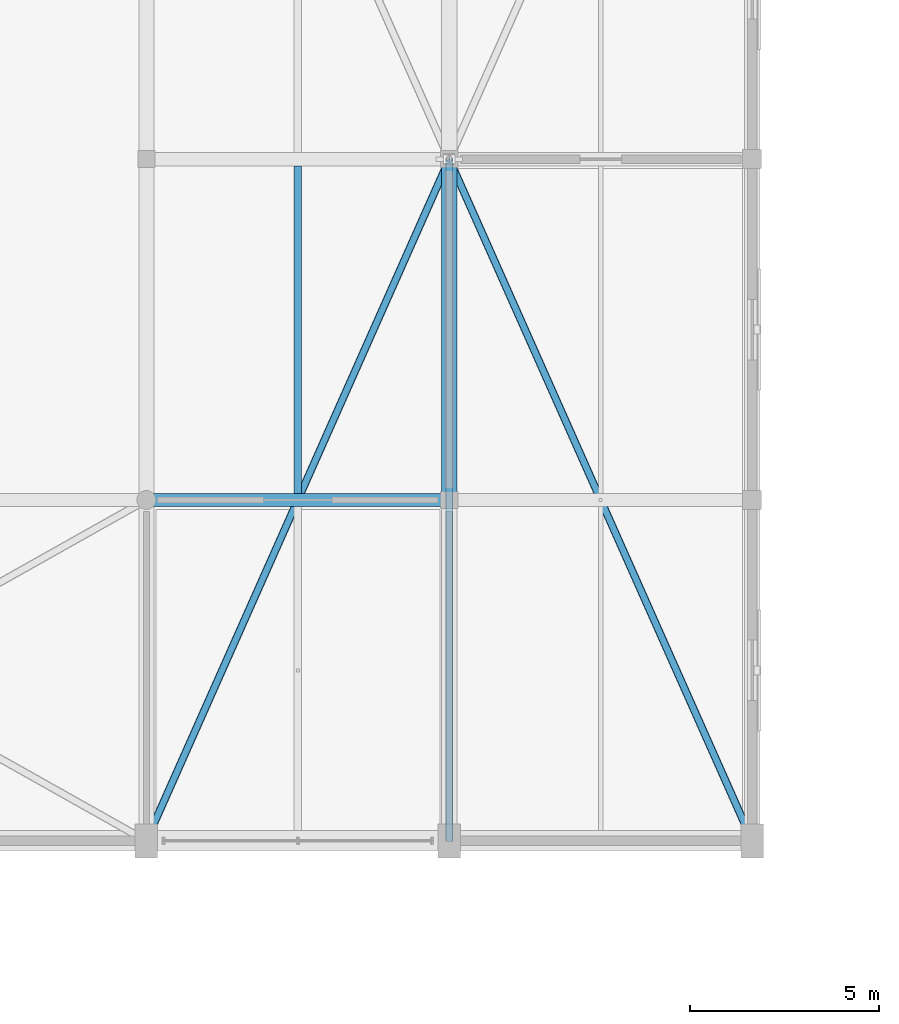
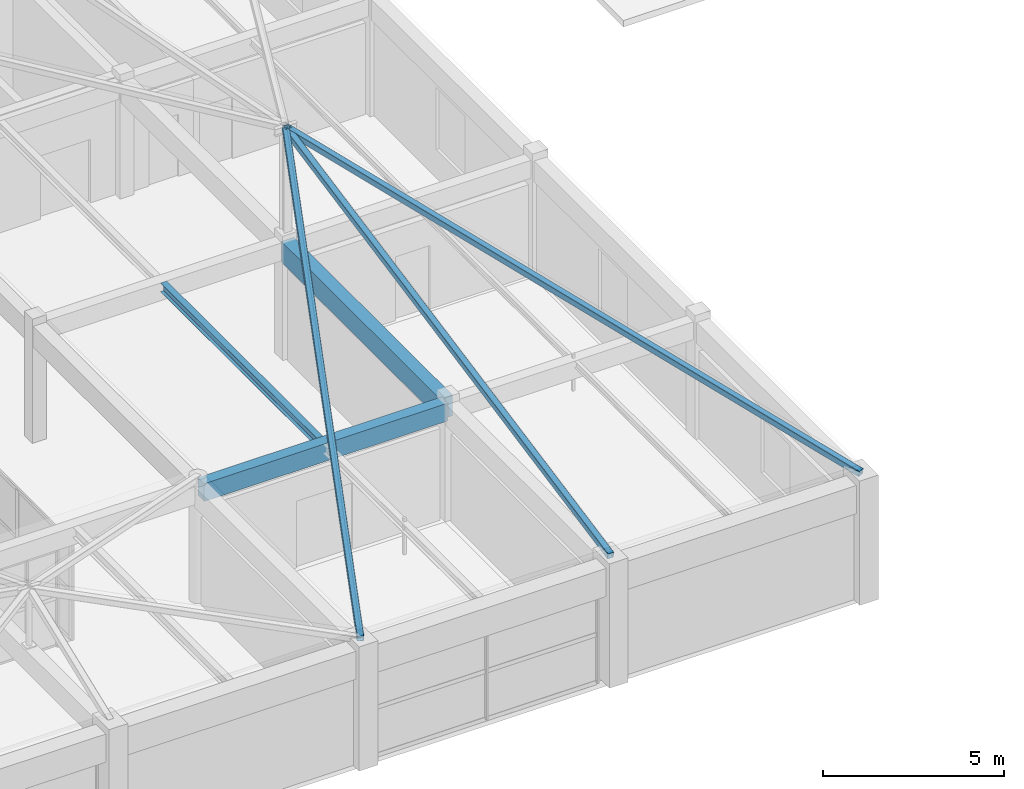
# One storey, part 32 of 63: 3 beams, 3 members.
"""IFC4 building model written with IfcOpenShell, lengths in metres."""

from ifc_helpers import new_model, si_unit, direction, frame, origin, origin_2d, place, context, subcontext, project, spatial, rectangle, hollow_rectangle, i_section, extrude, material, material_profile, profile_set, type_object, element, save


model = new_model("IFC4")

# Units and contexts
model_context = context("Model", 3, precision=1e-05, world=origin(), true_north=direction((0.0, 1.0)))
body_context = subcontext(model_context, "Body", "Model", "MODEL_VIEW")
ifc_project = project(units=[si_unit("LENGTHUNIT", "METRE"), si_unit("AREAUNIT", "SQUARE_METRE"), si_unit("VOLUMEUNIT", "CUBIC_METRE"), si_unit("PLANEANGLEUNIT", "RADIAN"), si_unit("MASSUNIT", "GRAM", prefix="KILO")], contexts=[model_context])

# Site, building, storey
site_placement = place(None, origin())
site = spatial("IfcSite", under=ifc_project, at=site_placement, CompositionType="ELEMENT")
building_placement = place(site_placement, origin())
building = spatial("IfcBuilding", under=site, at=building_placement, Name="Varnabhumi Central Station", CompositionType="ELEMENT")
storey_placement = place(building_placement, frame((0.0, 0.0, 20.39990234375)))
storey = spatial("IfcBuildingStorey", under=building, at=storey_placement, Name="L04", CompositionType="ELEMENT", Elevation=20.39990234375)

# Beams
ifc_material_1 = material(Name="Concrete M40", Category="concrete")
ifc_material_profile_1 = material_profile(ifc_material_1, rectangle(XDim=0.35009765625, YDim=0.60009765625, at=origin_2d()), Name="Concrete M40", Category="concrete")
ifc_profile_set_1 = profile_set([ifc_material_profile_1], Name="Concrete M40")
beam_type_1 = type_object("IfcBeamType", Name="BM-RC-350x600", PredefinedType="BEAM", material=ifc_profile_set_1)
beam_1_placement = place(storey_placement, frame((80.10009765625, 89.0, 3.650146484375), z_axis=(1.0, 0.0, 0.0), x_axis=(0.0, 1.0, 0.0)))
element("IfcBeam", 1, at=beam_1_placement, inside=storey, type_object=beam_type_1, Name="Beam L04-L:11-12", PredefinedType="BEAM", context=body_context, shape_type="SweptSolid", body=[
    extrude(rectangle(XDim=0.35009765625, YDim=0.60009765625, at=origin_2d()), origin(), (0.0, 0.0, 1.0), 7.7998046875),
])
ifc_material_profile_2 = material_profile(ifc_material_1, rectangle(XDim=0.39990234375, YDim=0.699951171875, at=origin_2d()), Name="Concrete M40", Category="concrete")
ifc_profile_set_2 = profile_set([ifc_material_profile_2], Name="Concrete M40")
beam_type_2 = type_object("IfcBeamType", Name="BM-RC-700x400", PredefinedType="BEAM", material=ifc_profile_set_2)
beam_2_placement = place(storey_placement, frame((88.0, 89.10009765625, 3.60009765625), z_axis=(0.0, 1.0, 0.0), x_axis=(-1.0, 0.0, 0.0)))
element("IfcBeam", 2, at=beam_2_placement, inside=storey, type_object=beam_type_2, Name="Beam L04-12:L-M", PredefinedType="BEAM", context=body_context, shape_type="SweptSolid", body=[
    extrude(rectangle(XDim=0.39990234375, YDim=0.699951171875, at=origin_2d()), origin(), (0.0, 0.0, 1.0), 8.7998046875),
])
ifc_material_2 = material(Name="Structural steel E350", Category="steel")
ifc_material_profile_3 = material_profile(ifc_material_2, i_section(OverallWidth=0.199951171875, OverallDepth=0.300048828125, WebThickness=0.00732421875, FlangeThickness=0.010009765625, FilletRadius=0.010986328125, at=origin_2d()), Name="Structural steel E350", Category="steel")
ifc_profile_set_3 = profile_set([ifc_material_profile_3], Name="Structural steel E350")
beam_type_3 = type_object("IfcBeamType", Name="BM-STL-ISWB300", PredefinedType="JOIST", material=ifc_profile_set_3)
beam_3_placement = place(storey_placement, frame((84.0, 89.175048828125, 3.800048828125), z_axis=(0.0, 1.0, 0.0), x_axis=(-1.0, 0.0, 0.0)))
element("IfcBeam", 3, at=beam_3_placement, inside=storey, type_object=beam_type_3, Name="Secondary Joist L04-11/12:L-M", PredefinedType="JOIST", context=body_context, shape_type="SweptSolid", body=[
    extrude(i_section(OverallWidth=0.199951171875, OverallDepth=0.300048828125, WebThickness=0.00732421875, FlangeThickness=0.010009765625, FilletRadius=0.010986328125, at=origin_2d()), origin(), (0.0, 0.0, 1.0), 8.64990234375),
])

# Members
ifc_material_profile_4 = material_profile(ifc_material_2, hollow_rectangle(XDim=0.199951171875, YDim=0.199951171875, WallThickness=0.010009765625, InnerFilletRadius=0.010009765625, OuterFilletRadius=0.02001953125, at=origin_2d()), Name="Structural steel E350", Category="steel")
ifc_profile_set_4 = profile_set([ifc_material_profile_4], Name="Structural steel E350")
member_type = type_object("IfcMemberType", Name="MBR-RAFT-SHS200", PredefinedType="RAFTER", material=ifc_profile_set_4)
for number, where, z_axis, x_axis, name in (
    (4, (80.0, 80.0, 4.110107421875), (0.399698916942, 0.899322563119, 0.177368833961), (-0.91381154862, 0.406138466053, 0.0), "Mission Roof Hip Rafter NBP5-ES"),
    (5, (96.0, 80.0, 4.110107421875), (-0.399698916942, 0.899322563119, 0.177368833961), (-0.91381154862, -0.406138466053, 0.0), "Mission Roof Hip Rafter NBP5-WS"),
):
    element("IfcMember", number, at=place(storey_placement, frame(where, z_axis=z_axis, x_axis=x_axis)), inside=storey, type_object=member_type, Name=name, PredefinedType="RAFTER", context=body_context, shape_type="SweptSolid", body=[
        extrude(hollow_rectangle(XDim=0.199951171875, YDim=0.199951171875, WallThickness=0.010009765625, InnerFilletRadius=0.010009765625, OuterFilletRadius=0.02001953125, at=origin_2d()), origin(), (0.0, 0.0, 1.0), 20.01513671875),
    ])
member_placement = place(storey_placement, frame((88.0, 80.0, 4.110107421875), z_axis=(0.0, 0.981100761594, 0.193497533832), x_axis=(-1.0, 0.0, 0.0)))
element("IfcMember", 6, at=member_placement, inside=storey, type_object=member_type, Name="Mission Roof South Rafter NBP5-2", PredefinedType="RAFTER", context=body_context, shape_type="SweptSolid", body=[
    extrude(hollow_rectangle(XDim=0.199951171875, YDim=0.199951171875, WallThickness=0.010009765625, InnerFilletRadius=0.010009765625, OuterFilletRadius=0.02001953125, at=origin_2d()), origin(), (0.0, 0.0, 1.0), 18.3466796875),
])

save(model, "model.ifc")
